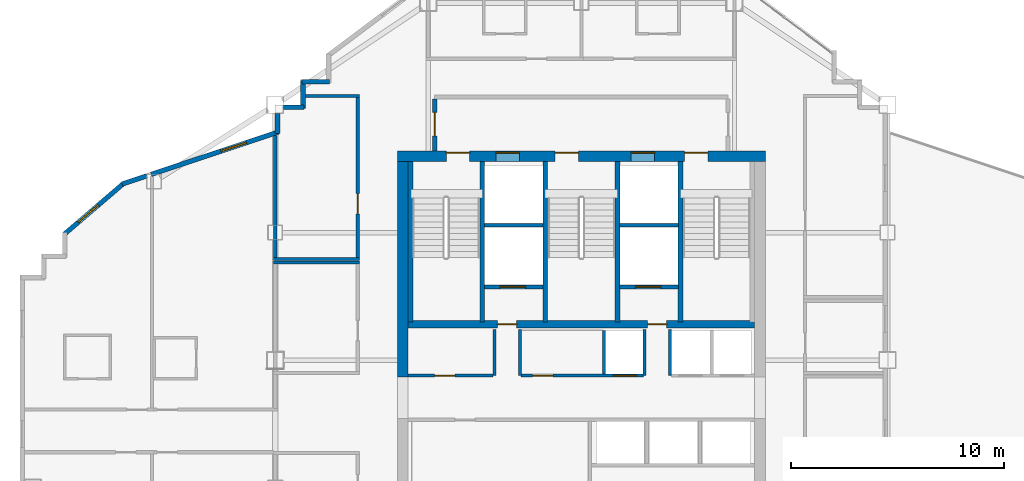
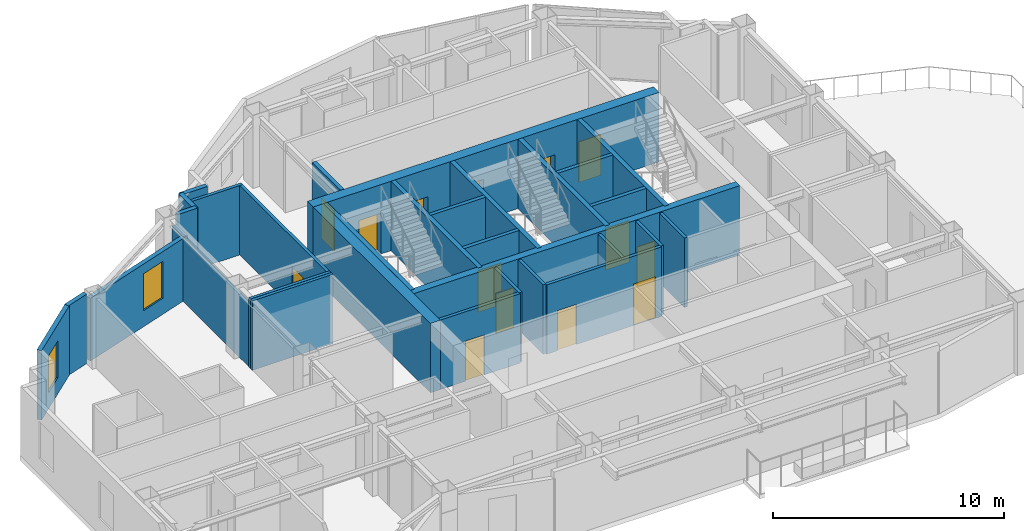
# One storey, part 6 of 10: 32 walls, 14 doors, 2 windows, 16 openings.
"""IFC4 building model written with IfcOpenShell, lengths in metres."""

from ifc_helpers import new_model, si_unit, direction, frame, frame_2d, origin, place, context, subcontext, project, spatial, rectangle, extrude, material, layer, layer_set, type_object, element, fill, save


model = new_model("IFC4")

# Units and contexts
model_context = context("Model", 3, precision=1e-05, world=origin(), true_north=direction((0.0, 1.0)))
body_context = subcontext(model_context, "Body", "Model", "MODEL_VIEW")
ifc_project = project(units=[si_unit("LENGTHUNIT", "METRE"), si_unit("AREAUNIT", "SQUARE_METRE"), si_unit("VOLUMEUNIT", "CUBIC_METRE"), si_unit("PLANEANGLEUNIT", "RADIAN"), si_unit("MASSUNIT", "GRAM", prefix="KILO")], contexts=[model_context])

# Site, building, storey
site_placement = place(None, origin())
site = spatial("IfcSite", under=ifc_project, at=site_placement, CompositionType="ELEMENT")
building_placement = place(site_placement, origin())
building = spatial("IfcBuilding", under=site, at=building_placement, Name="Haolan Belvedere Tower", CompositionType="ELEMENT")
storey_placement = place(building_placement, frame((0.0, 0.0, 235.199951171875)))
storey = spatial("IfcBuildingStorey", under=building, at=storey_placement, Name="L59", CompositionType="ELEMENT", Elevation=235.199951171875)

# Wall, openings, doors
ifc_material_1 = material(Name="Concrete C50/60", Category="concrete")
ifc_layer_1 = layer(ifc_material_1, 0.5, Name="Concrete C50/60")
ifc_layer_set_1 = layer_set([ifc_layer_1], Name="Concrete C50/60")
wall_type_1 = type_object("IfcWallType", Name="WL-CORE-500", PredefinedType="SHEAR", material=ifc_layer_set_1)
wall_1_placement = place(storey_placement, frame((29.75, 43.199951171875, 0.0), z_axis=(0.0, 0.0, 1.0), x_axis=(1.0, 0.0, 0.0)))
wall_1 = element("IfcWall", 1, at=wall_1_placement, inside=storey, type_object=wall_type_1, Name="L59 central core north shear wall", PredefinedType="SHEAR", context=body_context, shape_type="SweptSolid", body=[
    extrude(rectangle(XDim=17.300048828125, YDim=0.5, at=frame_2d((8.64990234375, 0.0))), origin(), (0.0, 0.0, 1.0), 3.670166015625),
])
opening_1_placement = place(wall_1_placement, frame((2.300048828125, 0.0, 0.0)))
opening_1 = element("IfcOpeningElement", 2, at=opening_1_placement, cuts=wall_1, Name="Opening FD-03", PredefinedType="OPENING", context=body_context, shape_type="SweptSolid", body=[
    extrude(rectangle(XDim=1.10009765625, YDim=2.14990234375, at=frame_2d((0.550048828125, 1.074951171875))), frame((0.0, 0.260009765625, 0.0), z_axis=(0.0, -1.0, 0.0), x_axis=(1.0, 0.0, 0.0)), (0.0, 0.0, 1.0), 0.52001953125),
])
opening_2_placement = place(wall_1_placement, frame((7.409912109375, 0.0, 0.0)))
opening_2 = element("IfcOpeningElement", 3, at=opening_2_placement, cuts=wall_1, Name="Opening FD-03", PredefinedType="OPENING", context=body_context, shape_type="SweptSolid", body=[
    extrude(rectangle(XDim=1.10009765625, YDim=2.14990234375, at=frame_2d((0.550048828125, 1.074951171875))), frame((0.0, 0.260009765625, 0.0), z_axis=(0.0, -1.0, 0.0), x_axis=(1.0, 0.0, 0.0)), (0.0, 0.0, 1.0), 0.52001953125),
])
opening_3_placement = place(wall_1_placement, frame((13.5, 0.0, 0.0)))
opening_3 = element("IfcOpeningElement", 4, at=opening_3_placement, cuts=wall_1, Name="Opening FD-03", PredefinedType="OPENING", context=body_context, shape_type="SweptSolid", body=[
    extrude(rectangle(XDim=1.10009765625, YDim=2.14990234375, at=frame_2d((0.550048828125, 1.074951171875))), frame((0.0, 0.260009765625, 0.0), z_axis=(0.0, -1.0, 0.0), x_axis=(1.0, 0.0, 0.0)), (0.0, 0.0, 1.0), 0.52001953125),
])
opening_4_placement = place(wall_1_placement, frame((4.6298828125, 0.0, 0.0)))
opening_4 = element("IfcOpeningElement", 5, at=opening_4_placement, cuts=wall_1, Name="Opening LD-01", PredefinedType="OPENING", context=body_context, shape_type="SweptSolid", body=[
    extrude(rectangle(XDim=1.10009765625, YDim=2.199951171875, at=frame_2d((0.550048828125, 1.10009765625))), frame((0.0, 0.260009765625, 0.0), z_axis=(0.0, -1.0, 0.0), x_axis=(1.0, 0.0, 0.0)), (0.0, 0.0, 1.0), 0.52001953125),
])
opening_5_placement = place(wall_1_placement, frame((10.989990234375, 0.0, 0.0)))
opening_5 = element("IfcOpeningElement", 6, at=opening_5_placement, cuts=wall_1, Name="Opening LD-01", PredefinedType="OPENING", context=body_context, shape_type="SweptSolid", body=[
    extrude(rectangle(XDim=1.10009765625, YDim=2.199951171875, at=frame_2d((0.550048828125, 1.10009765625))), frame((0.0, 0.260009765625, 0.0), z_axis=(0.0, -1.0, 0.0), x_axis=(1.0, 0.0, 0.0)), (0.0, 0.0, 1.0), 0.52001953125),
])
ifc_material_2 = material(Name="Galvanised fire-rated steel", Category="steel")
door_type_1 = type_object("IfcDoorType", Name="DR-FD90-1100", OperationType="NOTDEFINED", PredefinedType="DOOR", material=ifc_material_2)
door_1_placement = place(opening_1_placement, origin())
door_1 = element("IfcDoor", 7, at=door_1_placement, inside=storey, type_object=door_type_1, Name="L59 door CD-L59-ST1", OperationType="SINGLE_SWING_LEFT", OverallHeight=2.14990234375, OverallWidth=1.10009765625, PredefinedType="DOOR", context=body_context, shape_type="SweptSolid", body=[
    extrude(rectangle(XDim=1.10009765625, YDim=2.14990234375, at=frame_2d((0.550048828125, 1.074951171875))), frame((0.0, 0.18505859375, 0.0), z_axis=(0.0, -1.0, 0.0), x_axis=(1.0, 0.0, 0.0)), (0.0, 0.0, 1.0), 0.050048828125),
])
fill(opening_1, door_1)
door_2_placement = place(opening_2_placement, origin())
door_2 = element("IfcDoor", 8, at=door_2_placement, inside=storey, type_object=door_type_1, Name="L59 door CD-L59-ST3", OperationType="SINGLE_SWING_LEFT", OverallHeight=2.14990234375, OverallWidth=1.10009765625, PredefinedType="DOOR", context=body_context, shape_type="SweptSolid", body=[
    extrude(rectangle(XDim=1.10009765625, YDim=2.14990234375, at=frame_2d((0.550048828125, 1.074951171875))), frame((0.0, 0.18505859375, 0.0), z_axis=(0.0, -1.0, 0.0), x_axis=(1.0, 0.0, 0.0)), (0.0, 0.0, 1.0), 0.050048828125),
])
fill(opening_2, door_2)
door_3_placement = place(opening_3_placement, origin())
door_3 = element("IfcDoor", 9, at=door_3_placement, inside=storey, type_object=door_type_1, Name="L59 door CD-L59-ST2", OperationType="SINGLE_SWING_RIGHT", OverallHeight=2.14990234375, OverallWidth=1.10009765625, PredefinedType="DOOR", context=body_context, shape_type="SweptSolid", body=[
    extrude(rectangle(XDim=1.10009765625, YDim=2.14990234375, at=frame_2d((0.550048828125, 1.074951171875))), frame((0.0, 0.18505859375, 0.0), z_axis=(0.0, -1.0, 0.0), x_axis=(1.0, 0.0, 0.0)), (0.0, 0.0, 1.0), 0.050048828125),
])
fill(opening_3, door_3)
ifc_material_3 = material(Name="Brushed champagne stainless steel 316L", Category="steel")
door_type_2 = type_object("IfcDoorType", Name="DR-LIFT-1100", OperationType="SLIDING_TO_LEFT", PredefinedType="DOOR", material=ifc_material_3)
door_4_placement = place(opening_4_placement, origin())
door_4 = element("IfcDoor", 10, at=door_4_placement, inside=storey, type_object=door_type_2, Name="L59 door LD-L59-FF1", OperationType="SLIDING_TO_LEFT", OverallHeight=2.199951171875, OverallWidth=1.10009765625, PredefinedType="DOOR", context=body_context, shape_type="SweptSolid", body=[
    extrude(rectangle(XDim=1.10009765625, YDim=2.199951171875, at=frame_2d((0.550048828125, 1.10009765625))), frame((0.0, 0.18505859375, 0.0), z_axis=(0.0, -1.0, 0.0), x_axis=(1.0, 0.0, 0.0)), (0.0, 0.0, 1.0), 0.050048828125),
])
fill(opening_4, door_4)
door_5_placement = place(opening_5_placement, origin())
door_5 = element("IfcDoor", 11, at=door_5_placement, inside=storey, type_object=door_type_2, Name="L59 door LD-L59-FF2", OperationType="SLIDING_TO_LEFT", OverallHeight=2.199951171875, OverallWidth=1.10009765625, PredefinedType="DOOR", context=body_context, shape_type="SweptSolid", body=[
    extrude(rectangle(XDim=1.10009765625, YDim=2.199951171875, at=frame_2d((0.550048828125, 1.10009765625))), frame((0.0, 0.18505859375, 0.0), z_axis=(0.0, -1.0, 0.0), x_axis=(1.0, 0.0, 0.0)), (0.0, 0.0, 1.0), 0.050048828125),
])
fill(opening_5, door_5)

# Walls
wall_2_placement = place(storey_placement, frame((30.0, 32.800048828125, 0.0), z_axis=(0.0, 0.0, 1.0), x_axis=(0.0, 1.0, 0.0)))
element("IfcWall", 12, at=wall_2_placement, inside=storey, type_object=wall_type_1, Name="L59 central core shear wall WN", PredefinedType="SHEAR", context=body_context, shape_type="SweptSolid", body=[
    extrude(rectangle(XDim=10.14990234375, YDim=0.5, at=frame_2d((5.074951171875, 0.0))), origin(), (0.0, 0.0, 1.0), 3.670166015625),
])
ifc_material_4 = material(Name="Precast concrete C40/50", Category="concrete")
ifc_layer_2 = layer(ifc_material_4, 0.219970703125, Name="Precast concrete C40/50")
ifc_layer_set_2 = layer_set([ifc_layer_2], Name="Precast concrete C40/50")
wall_type_2 = type_object("IfcWallType", Name="WL-EXT-220", PredefinedType="SOLIDWALL", material=ifc_layer_set_2)
for number, where, z_axis, x_axis, name in (
    (13, (26.56494140625, 46.68994140625, 0.0), (0.0, 0.0, 1.0), (-1.0, 0.0, 0.0), "L59 pale-metal exterior spandrel wall 13.1"),
    (14, (25.31005859375, 46.7451171875, 0.0), (0.0, 0.0, 1.0), (0.0, -1.0, 0.0), "L59 pale-metal exterior spandrel wall 14.1"),
):
    element("IfcWall", number, at=place(storey_placement, frame(where, z_axis=z_axis, x_axis=x_axis)), inside=storey, type_object=wall_type_2, Name=name, PredefinedType="SOLIDWALL", context=body_context, shape_type="SweptSolid", body=[
        extrude(rectangle(XDim=1.31005859375, YDim=0.219970703125, at=frame_2d((0.655029296875, 0.0))), origin(), (0.0, 0.0, 1.0), 3.670166015625),
    ])
wall_3_placement = place(storey_placement, frame((25.364990234375, 45.489990234375, 0.0), z_axis=(0.0, 0.0, 1.0), x_axis=(-1.0, 0.0, 0.0)))
element("IfcWall", 15, at=wall_3_placement, inside=storey, type_object=wall_type_2, Name="L59 pale-metal exterior spandrel wall 15.1", PredefinedType="SOLIDWALL", context=body_context, shape_type="SweptSolid", body=[
    extrude(rectangle(XDim=0.972900390625, YDim=0.219970703125, at=frame_2d((0.486328125, 0.0))), origin(), (0.0, 0.0, 1.0), 3.670166015625),
])
wall_4_placement = place(storey_placement, frame((24.110107421875, 45.2080078125, 0.0), z_axis=(0.0, 0.0, 1.0), x_axis=(0.0, -1.0, 0.0)))
element("IfcWall", 16, at=wall_4_placement, inside=storey, type_object=wall_type_2, Name="L59 pale-metal exterior spandrel wall 16.1", PredefinedType="SOLIDWALL", context=body_context, shape_type="SweptSolid", body=[
    extrude(rectangle(XDim=0.9423828125, YDim=0.219970703125, at=frame_2d((0.47119140625, 0.0))), origin(), (0.0, 0.0, 1.0), 3.31494140625),
])

# Wall, opening, window
wall_5_placement = place(storey_placement, frame((24.162109375, 44.338134765625, 0.0), z_axis=(0.0, 0.0, 1.0), x_axis=(-0.948687165594, -0.31621616315, 0.0)))
wall_5 = element("IfcWall", 17, at=wall_5_placement, inside=storey, type_object=wall_type_2, Name="L59 pale-metal exterior spandrel wall 17.1", PredefinedType="SOLIDWALL", context=body_context, shape_type="SweptSolid", body=[
    extrude(rectangle(XDim=6.3125, YDim=0.219970703125, at=frame_2d((3.15625, 0.0))), origin(), (0.0, 0.0, 1.0), 3.31494140625),
])
opening_6_placement = place(wall_5_placement, frame((1.60009765625, 0.0, 0.85009765625)))
opening_6 = element("IfcOpeningElement", 18, at=opening_6_placement, cuts=wall_5, Name="Opening W-04", PredefinedType="OPENING", context=body_context, shape_type="SweptSolid", body=[
    extrude(rectangle(XDim=1.25, YDim=1.949951171875, at=frame_2d((0.625, 0.97509765625))), frame((0.0, 0.119873046875, 0.0), z_axis=(0.0, -1.0, 0.0), x_axis=(1.0, 0.0, 0.0)), (0.0, 0.0, 1.0), 0.239990234375),
])
ifc_material_5 = material(Name="Anodised aluminium 6063-T6 and Low-E glass", Category="aluminium")
window_type = type_object("IfcWindowType", Name="WN-DECO-Z4", PartitioningType="SINGLE_PANEL", PredefinedType="WINDOW", material=ifc_material_5)
window_1_placement = place(opening_6_placement, origin())
window_1 = element("IfcWindow", 19, at=window_1_placement, inside=storey, type_object=window_type, Name="L59 Art Deco chevron window 1", OverallHeight=1.949951171875, OverallWidth=1.25, PartitioningType="SINGLE_PANEL", PredefinedType="WINDOW", context=body_context, shape_type="SweptSolid", body=[
    extrude(rectangle(XDim=1.25, YDim=1.949951171875, at=frame_2d((0.625, 0.97509765625))), frame((0.0, 0.030029296875, 0.0), z_axis=(0.0, -1.0, 0.0), x_axis=(1.0, 0.0, 0.0)), (0.0, 0.0, 1.0), 0.06005859375),
])
fill(opening_6, window_1)

# Wall
wall_6_placement = place(storey_placement, frame((17.9580078125, 42.27001953125, 0.0), z_axis=(0.0, 0.0, 1.0), x_axis=(-0.948683298051, -0.316227766017, 0.0)))
element("IfcWall", 20, at=wall_6_placement, inside=storey, type_object=wall_type_2, Name="L59 pale-metal exterior spandrel wall 17.2", PredefinedType="SOLIDWALL", context=body_context, shape_type="SweptSolid", body=[
    extrude(rectangle(XDim=1.217529296875, YDim=0.219970703125, at=frame_2d((0.60888671875, 0.0))), origin(), (0.0, 0.0, 1.0), 3.670166015625),
])

# Wall, opening, window
wall_7_placement = place(storey_placement, frame((16.89697265625, 41.938232421875, 0.0), z_axis=(0.0, 0.0, 1.0), x_axis=(-0.759279729622, -0.650764390686, 0.0)))
wall_7 = element("IfcWall", 21, at=wall_7_placement, inside=storey, type_object=wall_type_2, Name="L59 pale-metal exterior spandrel wall 18.1", PredefinedType="SOLIDWALL", context=body_context, shape_type="SweptSolid", body=[
    extrude(rectangle(XDim=3.725830078125, YDim=0.219970703125, at=frame_2d((1.86279296875, 0.0))), origin(), (0.0, 0.0, 1.0), 3.670166015625),
])
opening_7_placement = place(wall_7_placement, frame((1.60009765625, 0.0, 0.85009765625)))
opening_7 = element("IfcOpeningElement", 22, at=opening_7_placement, cuts=wall_7, Name="Opening W-04", PredefinedType="OPENING", context=body_context, shape_type="SweptSolid", body=[
    extrude(rectangle(XDim=1.25, YDim=1.949951171875, at=frame_2d((0.625, 0.97509765625))), frame((0.0, 0.119873046875, 0.0), z_axis=(0.0, -1.0, 0.0), x_axis=(1.0, 0.0, 0.0)), (0.0, 0.0, 1.0), 0.239990234375),
])
window_2_placement = place(opening_7_placement, origin())
window_2 = element("IfcWindow", 23, at=window_2_placement, inside=storey, type_object=window_type, Name="L59 Art Deco chevron window 1", OverallHeight=1.949951171875, OverallWidth=1.25, PartitioningType="SINGLE_PANEL", PredefinedType="WINDOW", context=body_context, shape_type="SweptSolid", body=[
    extrude(rectangle(XDim=1.25, YDim=1.949951171875, at=frame_2d((0.625, 0.97509765625))), frame((0.0, 0.030029296875, 0.0), z_axis=(0.0, -1.0, 0.0), x_axis=(1.0, 0.0, 0.0)), (0.0, 0.0, 1.0), 0.06005859375),
])
fill(opening_7, window_2)

# Wall, opening, door
ifc_material_6 = material(Name="Concrete C40/50", Category="concrete")
ifc_layer_3 = layer(ifc_material_6, 0.199951171875, Name="Concrete C40/50")
ifc_layer_set_3 = layer_set([ifc_layer_3], Name="Concrete C40/50")
wall_type_3 = type_object("IfcWallType", Name="WL-FIRE-200", PredefinedType="SOLIDWALL", material=ifc_layer_set_3)
wall_8_placement = place(storey_placement, frame((31.5, 43.449951171875, 0.0), z_axis=(0.0, 0.0, 1.0), x_axis=(0.0, 1.0, 0.0)))
wall_8 = element("IfcWall", 24, at=wall_8_placement, inside=storey, type_object=wall_type_3, Name="L59 interior partition IW-L59-FFL-W", PredefinedType="SOLIDWALL", context=body_context, shape_type="SweptSolid", body=[
    extrude(rectangle(XDim=2.445068359375, YDim=0.199951171875, at=frame_2d((1.22265625, 0.0))), origin(), (0.0, 0.0, 1.0), 3.670166015625),
])
opening_8_placement = place(wall_8_placement, frame((1.800048828125, 0.0, 0.0), z_axis=(0.0, 0.0, 1.0), x_axis=(-1.0, 0.0, 0.0)))
opening_8 = element("IfcOpeningElement", 25, at=opening_8_placement, cuts=wall_8, Name="Opening FD-03", PredefinedType="OPENING", context=body_context, shape_type="SweptSolid", body=[
    extrude(rectangle(XDim=1.10009765625, YDim=2.14990234375, at=frame_2d((0.550048828125, 1.074951171875))), frame((0.0, 0.10986328125, 0.0), z_axis=(0.0, -1.0, 0.0), x_axis=(1.0, 0.0, 0.0)), (0.0, 0.0, 1.0), 0.219970703125),
])
door_6_placement = place(opening_8_placement, origin())
door_6 = element("IfcDoor", 26, at=door_6_placement, inside=storey, type_object=door_type_1, Name="L59 door ID-L59-FFL-DW", OperationType="SINGLE_SWING_LEFT", OverallHeight=2.14990234375, OverallWidth=1.10009765625, PredefinedType="DOOR", context=body_context, shape_type="SweptSolid", body=[
    extrude(rectangle(XDim=1.10009765625, YDim=2.14990234375, at=frame_2d((0.550048828125, 1.074951171875))), frame((0.0, 0.02490234375, 0.0), z_axis=(0.0, -1.0, 0.0), x_axis=(1.0, 0.0, 0.0)), (0.0, 0.0, 1.0), 0.050048828125),
])
fill(opening_8, door_6)

# Walls
ifc_material_7 = material(Name="Double gypsum acoustic stud partition", Category="masonry")
ifc_layer_4 = layer(ifc_material_7, 0.14990234375, Name="Double gypsum acoustic stud partition")
ifc_layer_set_4 = layer_set([ifc_layer_4], Name="Double gypsum acoustic stud partition")
wall_type_4 = type_object("IfcWallType", Name="WL-PART-150", PredefinedType="PARTITIONING", material=ifc_layer_set_4)
wall_9_placement = place(storey_placement, frame((23.919921875, 38.199951171875, 0.0), z_axis=(0.0, 0.0, 1.0), x_axis=(1.0, 0.0, 0.0)))
element("IfcWall", 27, at=wall_9_placement, inside=storey, type_object=wall_type_4, Name="L59 interior partition IW-L59-HSK-N", PredefinedType="PARTITIONING", context=body_context, shape_type="SweptSolid", body=[
    extrude(rectangle(XDim=4.0400390625, YDim=0.14990234375, at=frame_2d((2.02001953125, 0.0))), origin(), (0.0, 0.0, 1.0), 3.670166015625),
])
wall_10_placement = place(storey_placement, frame((25.412109375, 46.02001953125, 0.0), z_axis=(0.0, 0.0, 1.0), x_axis=(1.0, 0.0, 0.0)))
element("IfcWall", 28, at=wall_10_placement, inside=storey, type_object=wall_type_4, Name="L59 interior partition IW-L59-VLT-N", PredefinedType="PARTITIONING", context=body_context, shape_type="SweptSolid", body=[
    extrude(rectangle(XDim=2.5478515625, YDim=0.14990234375, at=frame_2d((1.27392578125, 0.0))), origin(), (0.0, 0.0, 1.0), 3.670166015625),
])
wall_11_placement = place(storey_placement, frame((23.919921875, 38.360107421875, 0.0), z_axis=(0.0, 0.0, 1.0), x_axis=(1.0, 0.0, 0.0)))
element("IfcWall", 29, at=wall_11_placement, inside=storey, type_object=wall_type_4, Name="L59 interior partition IW-L59-VLT-S", PredefinedType="PARTITIONING", context=body_context, shape_type="SweptSolid", body=[
    extrude(rectangle(XDim=4.0400390625, YDim=0.14990234375, at=frame_2d((2.02001953125, 0.0))), origin(), (0.0, 0.0, 1.0), 3.670166015625),
])
wall_12_placement = place(storey_placement, frame((24.0, 38.419921875, 0.0), z_axis=(0.0, 0.0, 1.0), x_axis=(0.0, 1.0, 0.0)))
element("IfcWall", 30, at=wall_12_placement, inside=storey, type_object=wall_type_4, Name="L59 interior partition IW-L59-VLT-W", PredefinedType="PARTITIONING", context=body_context, shape_type="SweptSolid", body=[
    extrude(rectangle(XDim=5.756591796875, YDim=0.14990234375, at=frame_2d((2.87841796875, 0.0))), origin(), (0.0, 0.0, 1.0), 3.31494140625),
])

# Wall, opening, door
wall_13_placement = place(storey_placement, frame((27.8798828125, 38.419921875, 0.0), z_axis=(0.0, 0.0, 1.0), x_axis=(0.0, 1.0, 0.0)))
wall_13 = element("IfcWall", 31, at=wall_13_placement, inside=storey, type_object=wall_type_4, Name="L59 interior partition IW-L59-VLT-E", PredefinedType="PARTITIONING", context=body_context, shape_type="SweptSolid", body=[
    extrude(rectangle(XDim=7.5400390625, YDim=0.14990234375, at=frame_2d((3.77001953125, 0.0))), origin(), (0.0, 0.0, 1.0), 3.670166015625),
])
opening_9_placement = place(wall_13_placement, frame((3.010009765625, 0.0, 0.0), z_axis=(0.0, 0.0, 1.0), x_axis=(-1.0, 0.0, 0.0)))
opening_9 = element("IfcOpeningElement", 32, at=opening_9_placement, cuts=wall_13, Name="Opening ID-03", PredefinedType="OPENING", context=body_context, shape_type="SweptSolid", body=[
    extrude(rectangle(XDim=0.949951171875, YDim=2.1201171875, at=frame_2d((0.47509765625, 1.06005859375))), frame((0.0, 0.0849609375, 0.0), z_axis=(0.0, -1.0, 0.0), x_axis=(1.0, 0.0, 0.0)), (0.0, 0.0, 1.0), 0.169921875),
])
ifc_material_8 = material(Name="Painted solid-core timber", Category="wood")
door_type_3 = type_object("IfcDoorType", Name="DR-INT-950", OperationType="NOTDEFINED", PredefinedType="DOOR", material=ifc_material_8)
door_7_placement = place(opening_9_placement, origin())
door_7 = element("IfcDoor", 33, at=door_7_placement, inside=storey, type_object=door_type_3, Name="L59 door ID-L59-VLT", OperationType="SINGLE_SWING_RIGHT", OverallHeight=2.1201171875, OverallWidth=0.949951171875, PredefinedType="DOOR", context=body_context, shape_type="SweptSolid", body=[
    extrude(rectangle(XDim=0.949951171875, YDim=2.1201171875, at=frame_2d((0.47509765625, 1.06005859375))), frame((0.0, 0.02490234375, 0.0), z_axis=(0.0, -1.0, 0.0), x_axis=(1.0, 0.0, 0.0)), (0.0, 0.0, 1.0), 0.050048828125),
])
fill(opening_9, door_7)

# Walls
ifc_material_9 = material(Name="Gypsum fire shaftwall assembly", Category="masonry")
ifc_layer_5 = layer(ifc_material_9, 0.1650390625, Name="Gypsum fire shaftwall assembly")
ifc_layer_set_5 = layer_set([ifc_layer_5], Name="Gypsum fire shaftwall assembly")
wall_type_5 = type_object("IfcWallType", Name="WL-SHAFT-160", PredefinedType="SOLIDWALL", material=ifc_layer_set_5)
for number, where, z_axis, x_axis, name in (
    (34, (34.31005859375, 32.8798828125, 0.0), (0.0, 0.0, 1.0), (0.0, 1.0, 0.0), "L59 interior partition IW-L59-SVP-W-SV1"),
    (35, (35.510009765625, 32.8798828125, 0.0), (0.0, 0.0, 1.0), (0.0, 1.0, 0.0), "L59 interior partition IW-L59-SVP-E-SV1"),
    (36, (41.3701171875, 32.8798828125, 0.0), (0.0, 0.0, 1.0), (0.0, 1.0, 0.0), "L59 interior partition IW-L59-SVP-W-SV2"),
    (37, (42.570068359375, 32.8798828125, 0.0), (0.0, 0.0, 1.0), (0.0, 1.0, 0.0), "L59 interior partition IW-L59-SVP-E-SV2"),
):
    element("IfcWall", number, at=place(storey_placement, frame(where, z_axis=z_axis, x_axis=x_axis)), inside=storey, type_object=wall_type_5, Name=name, PredefinedType="SOLIDWALL", context=body_context, shape_type="SweptSolid", body=[
        extrude(rectangle(XDim=2.170166015625, YDim=0.14990234375, at=frame_2d((1.0849609375, 0.0))), origin(), (0.0, 0.0, 1.0), 3.670166015625),
    ])

# Wall, opening, door
wall_14_placement = place(storey_placement, frame((30.25, 32.8798828125, 0.0), z_axis=(0.0, 0.0, 1.0), x_axis=(1.0, 0.0, 0.0)))
wall_14 = element("IfcWall", 38, at=wall_14_placement, inside=storey, type_object=wall_type_5, Name="L59 interior partition IW-L59-ROW-PN1", PredefinedType="SOLIDWALL", context=body_context, shape_type="SweptSolid", body=[
    extrude(rectangle(XDim=4.0, YDim=0.159912109375, at=frame_2d((2.0, 0.0))), origin(), (0.0, 0.0, 1.0), 3.670166015625),
])
opening_10_placement = place(wall_14_placement, frame((2.199951171875, 0.0, 0.0), z_axis=(0.0, 0.0, 1.0), x_axis=(-1.0, 0.0, 0.0)))
opening_10 = element("IfcOpeningElement", 39, at=opening_10_placement, cuts=wall_14, Name="Opening ID-03", PredefinedType="OPENING", context=body_context, shape_type="SweptSolid", body=[
    extrude(rectangle(XDim=0.949951171875, YDim=2.1201171875, at=frame_2d((0.47509765625, 1.06005859375))), frame((0.0, 0.08984375, 0.0), z_axis=(0.0, -1.0, 0.0), x_axis=(1.0, 0.0, 0.0)), (0.0, 0.0, 1.0), 0.179931640625),
])
door_8_placement = place(opening_10_placement, origin())
door_8 = element("IfcDoor", 40, at=door_8_placement, inside=storey, type_object=door_type_3, Name="L59 door ID-L59-CD-RPLW", OperationType="SINGLE_SWING_LEFT", OverallHeight=2.1201171875, OverallWidth=0.949951171875, PredefinedType="DOOR", context=body_context, shape_type="SweptSolid", body=[
    extrude(rectangle(XDim=0.949951171875, YDim=2.1201171875, at=frame_2d((0.47509765625, 1.06005859375))), frame((0.0, 0.02490234375, 0.0), z_axis=(0.0, -1.0, 0.0), x_axis=(1.0, 0.0, 0.0)), (0.0, 0.0, 1.0), 0.050048828125),
])
fill(opening_10, door_8)

# Wall, openings, doors
wall_15_placement = place(storey_placement, frame((35.570068359375, 32.8798828125, 0.0), z_axis=(0.0, 0.0, 1.0), x_axis=(1.0, 0.0, 0.0)))
wall_15 = element("IfcWall", 41, at=wall_15_placement, inside=storey, type_object=wall_type_5, Name="L59 interior partition IW-L59-ROW-PN2", PredefinedType="SOLIDWALL", context=body_context, shape_type="SweptSolid", body=[
    extrude(rectangle(XDim=5.739990234375, YDim=0.159912109375, at=frame_2d((2.8701171875, 0.0))), origin(), (0.0, 0.0, 1.0), 3.670166015625),
])
opening_11_placement = place(wall_15_placement, frame((1.489990234375, 0.0, 0.0), z_axis=(0.0, 0.0, 1.0), x_axis=(-1.0, 0.0, 0.0)))
opening_11 = element("IfcOpeningElement", 42, at=opening_11_placement, cuts=wall_15, Name="Opening ID-03", PredefinedType="OPENING", context=body_context, shape_type="SweptSolid", body=[
    extrude(rectangle(XDim=0.949951171875, YDim=2.1201171875, at=frame_2d((0.47509765625, 1.06005859375))), frame((0.0, 0.08984375, 0.0), z_axis=(0.0, -1.0, 0.0), x_axis=(1.0, 0.0, 0.0)), (0.0, 0.0, 1.0), 0.179931640625),
])
opening_12_placement = place(wall_15_placement, frame((5.43017578125, 0.0, 0.0), z_axis=(0.0, 0.0, 1.0), x_axis=(-1.0, 0.0, 0.0)))
opening_12 = element("IfcOpeningElement", 43, at=opening_12_placement, cuts=wall_15, Name="Opening LD-01", PredefinedType="OPENING", context=body_context, shape_type="SweptSolid", body=[
    extrude(rectangle(XDim=1.10009765625, YDim=2.199951171875, at=frame_2d((0.550048828125, 1.10009765625))), frame((0.0, 0.08984375, 0.0), z_axis=(0.0, -1.0, 0.0), x_axis=(1.0, 0.0, 0.0)), (0.0, 0.0, 1.0), 0.179931640625),
])
door_9_placement = place(opening_11_placement, origin())
door_9 = element("IfcDoor", 44, at=door_9_placement, inside=storey, type_object=door_type_3, Name="L59 door ID-L59-CD-RPLE", OperationType="SINGLE_SWING_RIGHT", OverallHeight=2.1201171875, OverallWidth=0.949951171875, PredefinedType="DOOR", context=body_context, shape_type="SweptSolid", body=[
    extrude(rectangle(XDim=0.949951171875, YDim=2.1201171875, at=frame_2d((0.47509765625, 1.06005859375))), frame((0.0, 0.02490234375, 0.0), z_axis=(0.0, -1.0, 0.0), x_axis=(1.0, 0.0, 0.0)), (0.0, 0.0, 1.0), 0.050048828125),
])
fill(opening_11, door_9)
door_10_placement = place(opening_12_placement, origin())
door_10 = element("IfcDoor", 45, at=door_10_placement, inside=storey, type_object=door_type_2, Name="L59 door ID-L59-LD-PH1", OperationType="SLIDING_TO_RIGHT", OverallHeight=2.199951171875, OverallWidth=1.10009765625, PredefinedType="DOOR", context=body_context, shape_type="SweptSolid", body=[
    extrude(rectangle(XDim=1.10009765625, YDim=2.199951171875, at=frame_2d((0.550048828125, 1.10009765625))), frame((0.0, 0.02490234375, 0.0), z_axis=(0.0, -1.0, 0.0), x_axis=(1.0, 0.0, 0.0)), (0.0, 0.0, 1.0), 0.050048828125),
])
fill(opening_12, door_10)

# Walls
wall_16_placement = place(storey_placement, frame((39.469970703125, 32.949951171875, 0.0), z_axis=(0.0, 0.0, 1.0), x_axis=(0.0, 1.0, 0.0)))
element("IfcWall", 46, at=wall_16_placement, inside=storey, type_object=wall_type_5, Name="L59 interior partition IW-L59-DIV-PL4R", PredefinedType="SOLIDWALL", context=body_context, shape_type="SweptSolid", body=[
    extrude(rectangle(XDim=2.050048828125, YDim=0.14990234375, at=frame_2d((1.02490234375, 0.0))), origin(), (0.0, 0.0, 1.0), 3.670166015625),
])
ifc_layer_6 = layer(ifc_material_4, 0.179931640625, Name="Precast concrete C40/50")
ifc_layer_set_6 = layer_set([ifc_layer_6], Name="Precast concrete C40/50")
wall_type_6 = type_object("IfcWallType", Name="WL-SHAFT-180", PredefinedType="SOLIDWALL", material=ifc_layer_set_6)
for number, where, z_axis, x_axis, name in (
    (47, (33.8349609375, 39.949951171875, 0.0), (0.0, 0.0, 1.0), (1.0, 0.0, 0.0), "L59 interior partition IW-L59-FF1-S"),
    (48, (40.195068359375, 39.949951171875, 0.0), (0.0, 0.0, 1.0), (1.0, 0.0, 0.0), "L59 interior partition IW-L59-FF2-S"),
):
    element("IfcWall", number, at=place(storey_placement, frame(where, z_axis=z_axis, x_axis=x_axis)), inside=storey, type_object=wall_type_6, Name=name, PredefinedType="SOLIDWALL", context=body_context, shape_type="SweptSolid", body=[
        extrude(rectangle(XDim=2.77001953125, YDim=0.179931640625, at=frame_2d((1.385009765625, 0.0))), origin(), (0.0, 0.0, 1.0), 3.670166015625),
    ])

# Wall, opening, door
wall_17_placement = place(storey_placement, frame((33.8349609375, 37.050048828125, 0.0), z_axis=(0.0, 0.0, 1.0), x_axis=(1.0, 0.0, 0.0)))
wall_17 = element("IfcWall", 49, at=wall_17_placement, inside=storey, type_object=wall_type_6, Name="L59 interior partition IW-L59-SV1-S", PredefinedType="SOLIDWALL", context=body_context, shape_type="SweptSolid", body=[
    extrude(rectangle(XDim=2.77001953125, YDim=0.179931640625, at=frame_2d((1.385009765625, 0.0))), origin(), (0.0, 0.0, 1.0), 3.670166015625),
])
opening_13_placement = place(wall_17_placement, frame((1.945068359375, 0.0, 0.0), z_axis=(0.0, 0.0, 1.0), x_axis=(-1.0, 0.0, 0.0)))
opening_13 = element("IfcOpeningElement", 50, at=opening_13_placement, cuts=wall_17, Name="Opening LD-02", PredefinedType="OPENING", context=body_context, shape_type="SweptSolid", body=[
    extrude(rectangle(XDim=1.199951171875, YDim=2.199951171875, at=frame_2d((0.60009765625, 1.10009765625))), frame((0.0, 0.099853515625, 0.0), z_axis=(0.0, -1.0, 0.0), x_axis=(1.0, 0.0, 0.0)), (0.0, 0.0, 1.0), 0.199951171875),
])
door_type_4 = type_object("IfcDoorType", Name="DR-LIFT-1200", OperationType="SLIDING_TO_RIGHT", PredefinedType="DOOR", material=ifc_material_3)
door_11_placement = place(opening_13_placement, origin())
door_11 = element("IfcDoor", 51, at=door_11_placement, inside=storey, type_object=door_type_4, Name="L59 door ID-L59-LD-SV1", OperationType="SLIDING_TO_RIGHT", OverallHeight=2.199951171875, OverallWidth=1.199951171875, PredefinedType="DOOR", context=body_context, shape_type="SweptSolid", body=[
    extrude(rectangle(XDim=1.199951171875, YDim=2.199951171875, at=frame_2d((0.60009765625, 1.10009765625))), frame((0.0, 0.02490234375, 0.0), z_axis=(0.0, -1.0, 0.0), x_axis=(1.0, 0.0, 0.0)), (0.0, 0.0, 1.0), 0.050048828125),
])
fill(opening_13, door_11)

wall_18_placement = place(storey_placement, frame((40.195068359375, 37.050048828125, 0.0), z_axis=(0.0, 0.0, 1.0), x_axis=(1.0, 0.0, 0.0)))
wall_18 = element("IfcWall", 52, at=wall_18_placement, inside=storey, type_object=wall_type_6, Name="L59 interior partition IW-L59-SV2-S", PredefinedType="SOLIDWALL", context=body_context, shape_type="SweptSolid", body=[
    extrude(rectangle(XDim=2.77001953125, YDim=0.179931640625, at=frame_2d((1.385009765625, 0.0))), origin(), (0.0, 0.0, 1.0), 3.670166015625),
])
opening_14_placement = place(wall_18_placement, frame((1.945068359375, 0.0, 0.0), z_axis=(0.0, 0.0, 1.0), x_axis=(-1.0, 0.0, 0.0)))
opening_14 = element("IfcOpeningElement", 53, at=opening_14_placement, cuts=wall_18, Name="Opening LD-02", PredefinedType="OPENING", context=body_context, shape_type="SweptSolid", body=[
    extrude(rectangle(XDim=1.199951171875, YDim=2.199951171875, at=frame_2d((0.60009765625, 1.10009765625))), frame((0.0, 0.099853515625, 0.0), z_axis=(0.0, -1.0, 0.0), x_axis=(1.0, 0.0, 0.0)), (0.0, 0.0, 1.0), 0.199951171875),
])
door_12_placement = place(opening_14_placement, origin())
door_12 = element("IfcDoor", 54, at=door_12_placement, inside=storey, type_object=door_type_4, Name="L59 door ID-L59-LD-SV2", OperationType="SLIDING_TO_RIGHT", OverallHeight=2.199951171875, OverallWidth=1.199951171875, PredefinedType="DOOR", context=body_context, shape_type="SweptSolid", body=[
    extrude(rectangle(XDim=1.199951171875, YDim=2.199951171875, at=frame_2d((0.60009765625, 1.10009765625))), frame((0.0, 0.02490234375, 0.0), z_axis=(0.0, -1.0, 0.0), x_axis=(1.0, 0.0, 0.0)), (0.0, 0.0, 1.0), 0.050048828125),
])
fill(opening_14, door_12)

# Walls
ifc_layer_7 = layer(ifc_material_1, 0.219970703125, Name="Concrete C50/60")
ifc_layer_set_7 = layer_set([ifc_layer_7], Name="Concrete C50/60")
wall_type_7 = type_object("IfcWallType", Name="WL-STAIR-220", PredefinedType="SHEAR", material=ifc_layer_set_7)
for number, where, z_axis, x_axis, name in (
    (55, (30.362060546875, 35.389892578125, 0.0), (0.0, 0.0, 1.0), (0.0, 1.0, 0.0), "L59 structural stair core wall ST1W"),
    (56, (33.739990234375, 35.389892578125, 0.0), (0.0, 0.0, 1.0), (0.0, 1.0, 0.0), "L59 structural stair core wall ST1E"),
    (57, (36.699951171875, 35.389892578125, 0.0), (0.0, 0.0, 1.0), (0.0, 1.0, 0.0), "L59 structural stair core wall ST3W"),
    (58, (40.10009765625, 35.389892578125, 0.0), (0.0, 0.0, 1.0), (0.0, 1.0, 0.0), "L59 structural stair core wall ST3E"),
    (59, (43.06005859375, 35.389892578125, 0.0), (0.0, 0.0, 1.0), (0.0, 1.0, 0.0), "L59 structural stair core wall ST2W"),
):
    element("IfcWall", number, at=place(storey_placement, frame(where, z_axis=z_axis, x_axis=x_axis)), inside=storey, type_object=wall_type_7, Name=name, PredefinedType="SHEAR", context=body_context, shape_type="SweptSolid", body=[
        extrude(rectangle(XDim=7.56005859375, YDim=0.219970703125, at=frame_2d((3.780029296875, 0.0))), origin(), (0.0, 0.0, 1.0), 3.670166015625),
    ])

# Wall, openings, doors
ifc_material_10 = material(Name="Concrete C60/75", Category="concrete")
ifc_layer_8 = layer(ifc_material_10, 0.360107421875, Name="Concrete C60/75")
ifc_layer_set_8 = layer_set([ifc_layer_8], Name="Concrete C60/75")
wall_type_8 = type_object("IfcWallType", Name="WL-WEB-350", PredefinedType="SHEAR", material=ifc_layer_set_8)
wall_19_placement = place(storey_placement, frame((30.25, 35.2900390625, 0.0), z_axis=(0.0, 0.0, 1.0), x_axis=(1.0, 0.0, 0.0)))
wall_19 = element("IfcWall", 60, at=wall_19_placement, inside=storey, type_object=wall_type_8, Name="L59 central core internal shear web", PredefinedType="SHEAR", context=body_context, shape_type="SweptSolid", body=[
    extrude(rectangle(XDim=16.300048828125, YDim=0.360107421875, at=frame_2d((8.14990234375, 0.0))), origin(), (0.0, 0.0, 1.0), 3.670166015625),
])
opening_15_placement = place(wall_19_placement, frame((5.099853515625, 0.0, 0.0), z_axis=(0.0, 0.0, 1.0), x_axis=(-1.0, 0.0, 0.0)))
opening_15 = element("IfcOpeningElement", 61, at=opening_15_placement, cuts=wall_19, Name="Opening FD-05", PredefinedType="OPENING", context=body_context, shape_type="SweptSolid", body=[
    extrude(rectangle(XDim=0.89990234375, YDim=2.10009765625, at=frame_2d((0.449951171875, 1.050048828125))), frame((0.0, 0.18994140625, 0.0), z_axis=(0.0, -1.0, 0.0), x_axis=(1.0, 0.0, 0.0)), (0.0, 0.0, 1.0), 0.380126953125),
])
opening_16_placement = place(wall_19_placement, frame((12.159912109375, 0.0, 0.0), z_axis=(0.0, 0.0, 1.0), x_axis=(-1.0, 0.0, 0.0)))
opening_16 = element("IfcOpeningElement", 62, at=opening_16_placement, cuts=wall_19, Name="Opening FD-05", PredefinedType="OPENING", context=body_context, shape_type="SweptSolid", body=[
    extrude(rectangle(XDim=0.89990234375, YDim=2.10009765625, at=frame_2d((0.449951171875, 1.050048828125))), frame((0.0, 0.18994140625, 0.0), z_axis=(0.0, -1.0, 0.0), x_axis=(1.0, 0.0, 0.0)), (0.0, 0.0, 1.0), 0.380126953125),
])
door_type_5 = type_object("IfcDoorType", Name="DR-FD60-900", OperationType="NOTDEFINED", PredefinedType="DOOR", material=ifc_material_2)
door_13_placement = place(opening_15_placement, origin())
door_13 = element("IfcDoor", 63, at=door_13_placement, inside=storey, type_object=door_type_5, Name="L59 door CD-L59-SVL-SV1", OperationType="SINGLE_SWING_RIGHT", OverallHeight=2.10009765625, OverallWidth=0.89990234375, PredefinedType="DOOR", context=body_context, shape_type="SweptSolid", body=[
    extrude(rectangle(XDim=0.89990234375, YDim=2.10009765625, at=frame_2d((0.449951171875, 1.050048828125))), frame((0.0, 0.02490234375, 0.0), z_axis=(0.0, -1.0, 0.0), x_axis=(1.0, 0.0, 0.0)), (0.0, 0.0, 1.0), 0.050048828125),
])
fill(opening_15, door_13)
door_14_placement = place(opening_16_placement, origin())
door_14 = element("IfcDoor", 64, at=door_14_placement, inside=storey, type_object=door_type_5, Name="L59 door CD-L59-SVL-SV2", OperationType="SINGLE_SWING_RIGHT", OverallHeight=2.10009765625, OverallWidth=0.89990234375, PredefinedType="DOOR", context=body_context, shape_type="SweptSolid", body=[
    extrude(rectangle(XDim=0.89990234375, YDim=2.10009765625, at=frame_2d((0.449951171875, 1.050048828125))), frame((0.0, 0.02490234375, 0.0), z_axis=(0.0, -1.0, 0.0), x_axis=(1.0, 0.0, 0.0)), (0.0, 0.0, 1.0), 0.050048828125),
])
fill(opening_16, door_14)

save(model, "model.ifc")
